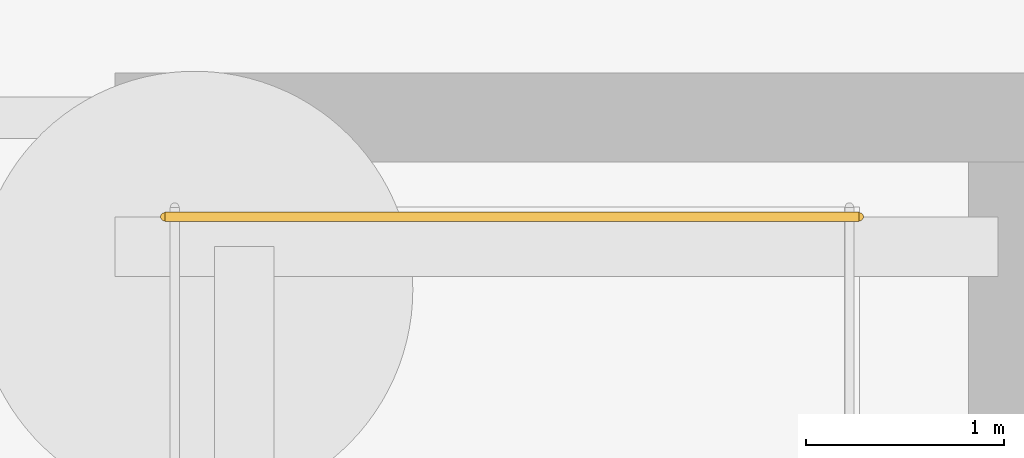
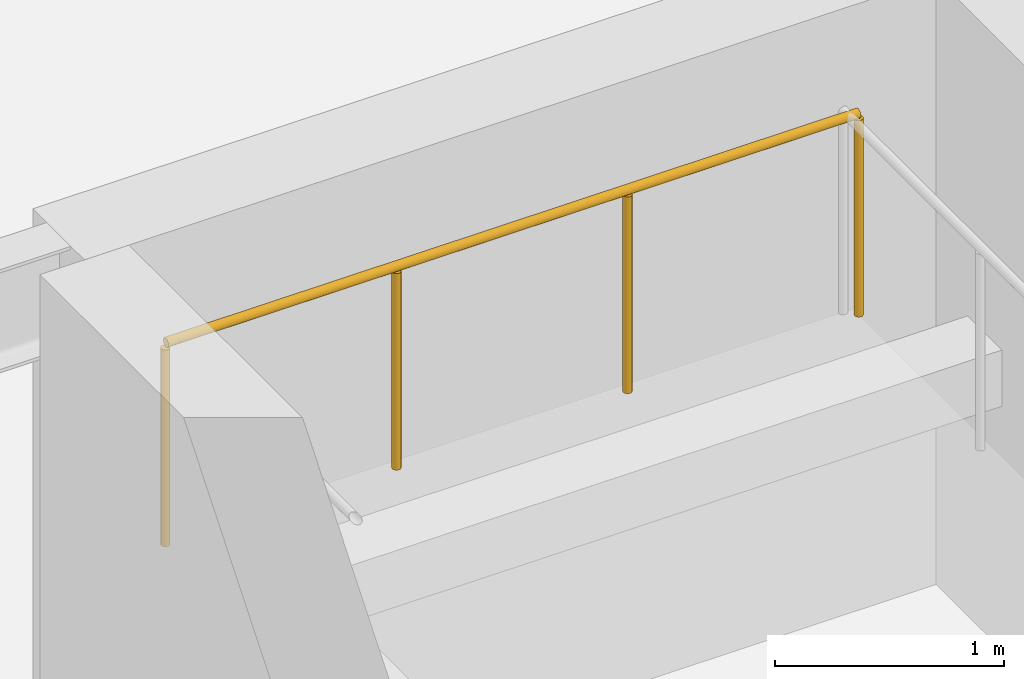
# One storey, part 11 of 12: 1 railing.
"""IFC4 building model written with IfcOpenShell, lengths in metres."""

from ifc_helpers import new_model, si_unit, direction, frame, origin, origin_2d, place, context, subcontext, project, spatial, circle, extrude, material, type_object, element, save


model = new_model("IFC4")

# Units and contexts
model_context = context("Model", 3, precision=1e-05, world=origin(), true_north=direction((0.0, 1.0)))
body_context = subcontext(model_context, "Body", "Model", "MODEL_VIEW")
ifc_project = project(units=[si_unit("LENGTHUNIT", "METRE"), si_unit("AREAUNIT", "SQUARE_METRE"), si_unit("VOLUMEUNIT", "CUBIC_METRE"), si_unit("PLANEANGLEUNIT", "RADIAN"), si_unit("MASSUNIT", "GRAM", prefix="KILO")], contexts=[model_context])

# Site, building, storey
site_placement = place(None, origin())
site = spatial("IfcSite", under=ifc_project, at=site_placement, CompositionType="ELEMENT")
building_placement = place(site_placement, origin())
building = spatial("IfcBuilding", under=site, at=building_placement, Name="Serunith Strait Residences", CompositionType="ELEMENT")
storey_placement = place(building_placement, frame((0.0, 0.0, -10.800048828125)))
storey = spatial("IfcBuildingStorey", under=building, at=storey_placement, Name="B03", CompositionType="ELEMENT", Elevation=-10.800048828125)

# Railing
ifc_material = material(Name="Brushed stainless steel 316L", Category="steel")
railing_type = type_object("IfcRailingType", Name="RLG-STAIR-GUARD", PredefinedType="BALUSTRADE", material=ifc_material)
railing_placement = place(storey_placement, frame((27.14990234375, 33.10009765625, 1.800048828125)))
element("IfcRailing", 1, at=railing_placement, inside=storey, type_object=railing_type, Name="B03 ST-1 stair guard 5", PredefinedType="BALUSTRADE", context=body_context, shape_type="SweptSolid", body=[
    extrude(circle(Radius=0.02392578125, at=origin_2d()), frame((-0.001953125, 0.0, 1.076171875), z_axis=(-1.0, 0.0, 0.0), x_axis=(0.0, -1.0, 0.0)), (0.0, 0.0, 1.0), 3.49609375),
    extrude(circle(Radius=0.02099609375, at=origin_2d()), origin(), (0.0, 0.0, 1.0), 1.050048828125),
    extrude(circle(Radius=0.02099609375, at=origin_2d()), frame((-1.166748046875, 0.0, 0.0)), (0.0, 0.0, 1.0), 1.050048828125),
    extrude(circle(Radius=0.02099609375, at=origin_2d()), frame((-2.333251953125, 0.0, 0.0)), (0.0, 0.0, 1.0), 1.050048828125),
    extrude(circle(Radius=0.02099609375, at=origin_2d()), frame((-3.5, 0.0, 0.0)), (0.0, 0.0, 1.0), 1.050048828125),
])

save(model, "model.ifc")
